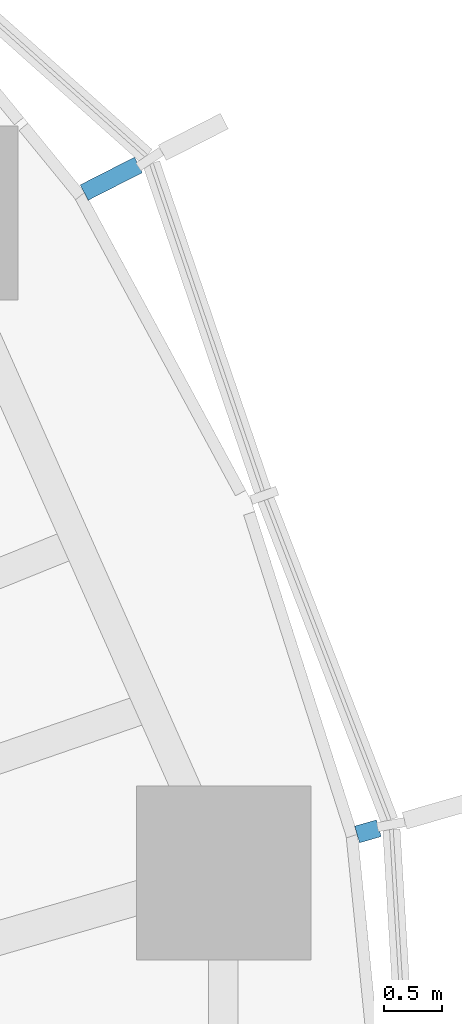
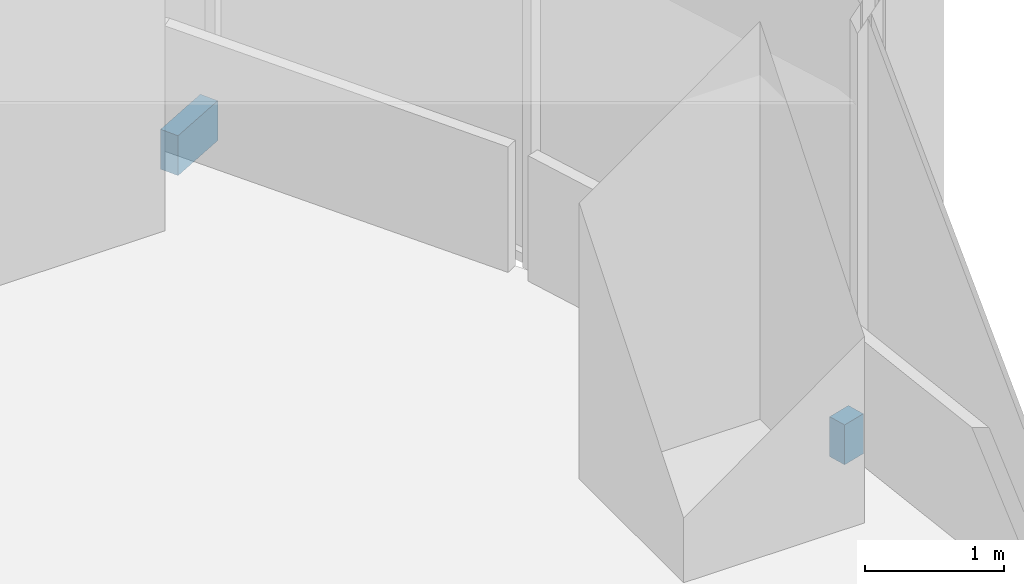
# One storey, part 16 of 18: 2 discrete accessories.
"""IFC4 building model written with IfcOpenShell, lengths in metres."""

import ifcopenshell
import ifcopenshell.guid

model = None  # the IFC model being written
_history = None  # IfcOwnerHistory: only IFC2X3 demands one
_inside = {}  # id of a spatial element -> (the spatial element, [elements in it])
_under = {}  # id of a project, library or spatial element -> (it, [spatial elements below it])
_declared = {}  # id of a project -> (the project, [libraries it declares])
_typed = {}  # id of a type object -> (the type object, [elements of that type])
_made_of = {}  # id of a material, layer set ... -> (it, [elements and type objects made of it])


def new_model(schema):
    """Start an empty IFC model of exactly this schema.

    Asked for "IFC4X3", IfcOpenShell would pick the latest addendum, in which some entities
    have other attributes; the version numbers below select the first issue.
    IFC2X3 requires an IfcOwnerHistory on every rooted entity: one is made here for all.
    """
    global model, _history
    if schema == "IFC4X3":
        model = ifcopenshell.file(schema_version=(4, 3, 0, 0))
    else:
        model = ifcopenshell.file(schema=schema)
    _inside.clear()
    _under.clear()
    _declared.clear()
    _typed.clear()
    _made_of.clear()
    _history = None
    if model.schema == "IFC2X3":
        org = make("IfcOrganization", Name="unknown")
        user = make(
            "IfcPersonAndOrganization",
            ThePerson=make("IfcPerson", FamilyName="unknown"),
            TheOrganization=org,
        )
        app = make(
            "IfcApplication",
            ApplicationDeveloper=org,
            Version="unknown",
            ApplicationFullName="unknown",
            ApplicationIdentifier="unknown",
        )
        _history = make(
            "IfcOwnerHistory",
            OwningUser=user,
            OwningApplication=app,
            ChangeAction="ADDED",
            CreationDate=0,
        )
    return model


def make(cls, **values):
    """One entity of the class cls with the attributes given. An attribute that is None is left unset."""
    return model.create_entity(
        cls, **{name: value for name, value in values.items() if value is not None}
    )


def rooted(cls, **values):
    """An entity with a GlobalId (a new one), such as an element, a storey or a relation."""
    return make(cls, GlobalId=ifcopenshell.guid.new(), OwnerHistory=_history, **values)


def si_unit(unit_type, name, prefix=None):
    """IfcSIUnit, for example si_unit("LENGTHUNIT", "METRE", prefix="MILLI")."""
    return make("IfcSIUnit", UnitType=unit_type, Prefix=prefix, Name=name)


def assignment(units):
    """IfcUnitAssignment: the units of a project."""
    return None if units is None else make("IfcUnitAssignment", Units=units)


def point(xyz):
    """IfcCartesianPoint."""
    return None if xyz is None else make("IfcCartesianPoint", Coordinates=xyz)


def direction(xyz):
    """IfcDirection."""
    return None if xyz is None else make("IfcDirection", DirectionRatios=xyz)


def frame(location, z_axis=None, x_axis=None):
    """IfcAxis2Placement3D, a coordinate frame: its origin and axes. An axis left out is left unset."""
    return make(
        "IfcAxis2Placement3D",
        Location=point(location),
        Axis=direction(z_axis),
        RefDirection=direction(x_axis),
    )


def frame_2d(location, x_axis=None):
    """IfcAxis2Placement2D, a coordinate frame in the plane: its origin and x axis."""
    return make(
        "IfcAxis2Placement2D", Location=point(location), RefDirection=direction(x_axis)
    )


def origin():
    """The frame at (0, 0, 0) with its axes left unset."""
    return frame((0.0, 0.0, 0.0))


def origin_2d():
    """The frame at (0, 0) in the plane with its x axis left unset."""
    return frame_2d((0.0, 0.0))


def place(relative_to, where):
    """IfcLocalPlacement: puts the frame where relative to a parent placement (None: the world)."""
    return make(
        "IfcLocalPlacement", PlacementRelTo=relative_to, RelativePlacement=where
    )


def context(
    kind, dimensions, precision=None, world=None, true_north=None, identifier=None
):
    """IfcGeometricRepresentationContext, for example the 3D "Model" context."""
    return make(
        "IfcGeometricRepresentationContext",
        ContextIdentifier=identifier,
        ContextType=kind,
        CoordinateSpaceDimension=dimensions,
        Precision=precision,
        WorldCoordinateSystem=world,
        TrueNorth=true_north,
    )


def subcontext(parent, identifier, kind, view, scale=None):
    """IfcGeometricRepresentationSubContext, for example "Body" below "Model"."""
    return make(
        "IfcGeometricRepresentationSubContext",
        ContextIdentifier=identifier,
        ContextType=kind,
        ParentContext=parent,
        TargetScale=scale,
        TargetView=view,
    )


def project(units=None, contexts=None):
    """IfcProject with its units and contexts."""
    return rooted(
        "IfcProject",
        Name="project",
        RepresentationContexts=contexts,
        UnitsInContext=assignment(units),
    )


def spatial(cls, under=None, at=None, **own):
    """A site, building, storey or space (cls), placed at a placement, below another one or the project."""
    s = rooted(cls, ObjectPlacement=at, **own)
    if under is not None:
        _under.setdefault(under.id(), (under, []))[1].append(s)
    return s


def profile(cls, at=None, kind="AREA", **sizes):
    """A parametric profile (cls). Its sizes go by their IFC names, for example OverallWidth=200.0."""
    return make(cls, ProfileType=kind, Position=at, **sizes)


def rectangle(**sizes):
    """IfcRectangleProfileDef."""
    return profile("IfcRectangleProfileDef", **sizes)


def extrude(swept, where, along, depth):
    """IfcExtrudedAreaSolid: the profile swept, set in the frame where, extruded along a direction by depth."""
    return make(
        "IfcExtrudedAreaSolid",
        SweptArea=swept,
        Position=where,
        ExtrudedDirection=direction(along),
        Depth=depth,
    )


def shape(context_of_items, identifier, shape_type, items):
    """IfcShapeRepresentation: the items that make up one representation, for example the "Body"."""
    return make(
        "IfcShapeRepresentation",
        ContextOfItems=context_of_items,
        RepresentationIdentifier=identifier,
        RepresentationType=shape_type,
        Items=items,
    )


def material(Name=None, Category=None):
    """IfcMaterial."""
    return make("IfcMaterial", Name=Name, Category=Category)


def made_of(thing, what):
    """Note that an element or type object is made of a material, layer set ...; save() writes the relation."""
    if what is not None:
        _made_of.setdefault(what.id(), (what, []))[1].append(thing)
    return thing


def type_object(cls, material=None, **own):
    """A type object (cls), such as IfcWallType, which elements share."""
    return made_of(rooted(cls, **own), material)


def element(
    cls,
    number,
    at=None,
    inside=None,
    cuts=None,
    type_object=None,
    material=None,
    context=None,
    identifier="Body",
    shape_type=None,
    held_by="IfcProductDefinitionShape",
    body=None,
    shapes=None,
    **own,
):
    """One element of the class cls, such as IfcWall. Its Tag is "e" and its number.

    at: its placement. inside: the storey or other place that contains it. cuts: it is an
    opening in that element (IfcRelVoidsElement). A single representation is given by context,
    identifier, shape_type and body (its items); several are given by shapes. held_by: the class
    of the entity that holds the representations. save() writes the other relations.
    """
    e = rooted(cls, Tag="e%d" % number, ObjectPlacement=at, **own)
    if body is not None:
        shapes = [shape(context, identifier, shape_type, body)]
    if shapes is not None:
        e.Representation = make(held_by, Representations=shapes)
    if inside is not None:
        _inside.setdefault(inside.id(), (inside, []))[1].append(e)
    if cuts is not None:
        rooted(
            "IfcRelVoidsElement", RelatingBuildingElement=cuts, RelatedOpeningElement=e
        )
    if type_object is not None:
        _typed.setdefault(type_object.id(), (type_object, []))[1].append(e)
    return made_of(e, material)


def aggregate(whole, parts):
    """IfcRelAggregates: a whole, such as a stair, and the parts it consists of."""
    return rooted("IfcRelAggregates", RelatingObject=whole, RelatedObjects=parts)


def save(model, path):
    """Write the relations noted so far, then the file.

    IfcRelAggregates (storeys below a building ...), IfcRelContainedInSpatialStructure (elements
    in a storey), IfcRelDefinesByType, IfcRelAssociatesMaterial and IfcRelDeclares: one each for
    every whole, place, type object, material and project.
    """
    for whole, parts in _under.values():
        aggregate(whole, parts)
    for where, things in _inside.values():
        rooted(
            "IfcRelContainedInSpatialStructure",
            RelatedElements=things,
            RelatingStructure=where,
        )
    for kind, things in _typed.values():
        rooted("IfcRelDefinesByType", RelatedObjects=things, RelatingType=kind)
    for what, things in _made_of.values():
        rooted("IfcRelAssociatesMaterial", RelatedObjects=things, RelatingMaterial=what)
    for by, libraries in _declared.values():
        rooted("IfcRelDeclares", RelatingContext=by, RelatedDefinitions=libraries)
    model.write(path)


model = new_model("IFC4")

# Units and contexts
model_context = context("Model", 3, precision=1e-05, world=origin(), true_north=direction((0.0, 1.0)))
body_context = subcontext(model_context, "Body", "Model", "MODEL_VIEW")
ifc_project = project(units=[si_unit("LENGTHUNIT", "METRE"), si_unit("AREAUNIT", "SQUARE_METRE"), si_unit("VOLUMEUNIT", "CUBIC_METRE"), si_unit("PLANEANGLEUNIT", "RADIAN"), si_unit("MASSUNIT", "GRAM", prefix="KILO")], contexts=[model_context])

# Site, building, storey
site_placement = place(None, origin())
site = spatial("IfcSite", under=ifc_project, at=site_placement, CompositionType="ELEMENT")
building_placement = place(site_placement, origin())
building = spatial("IfcBuilding", under=site, at=building_placement, Name="Ghaith Harvest Tower", CompositionType="ELEMENT")
storey_placement = place(building_placement, frame((0.0, 0.0, 121.800048828125)))
storey = spatial("IfcBuildingStorey", under=building, at=storey_placement, Name="L25", CompositionType="ELEMENT", Elevation=121.800048828125)

# Discrete accessories
ifc_material_1 = material(Name="Stainless steel grade 1.4401", Category="steel")
discrete_accessory_type_1 = type_object("IfcDiscreteAccessoryType", Name="CURTAIN WALL BRACKET 195", PredefinedType="BRACKET", material=ifc_material_1)
discrete_accessory_1_placement = place(storey_placement, frame((30.528076171875, 8.8232421875, -0.25), z_axis=(0.0, 0.0, 1.0), x_axis=(0.960680349985, 0.277656739792, 0.0)))
element("IfcDiscreteAccessory", 1, at=discrete_accessory_1_placement, inside=storey, type_object=discrete_accessory_type_1, Name="CW-L bracket 1 bay 02 L25", PredefinedType="BRACKET", context=body_context, shape_type="SweptSolid", body=[
    extrude(rectangle(XDim=0.195068359375, YDim=0.14990234375, at=origin_2d()), origin(), (0.0, 0.0, 1.0), 0.35009765625),
])
ifc_material_2 = material(Name="Stainless steel grade 1.4401", Category="steel")
discrete_accessory_type_2 = type_object("IfcDiscreteAccessoryType", Name="CURTAIN WALL BRACKET 525", PredefinedType="BRACKET", material=ifc_material_2)
discrete_accessory_2_placement = place(storey_placement, frame((28.318115234375, 14.442626953125, -0.25), z_axis=(0.0, 0.0, 1.0), x_axis=(0.890830752257, 0.454335306611, 0.0)))
element("IfcDiscreteAccessory", 2, at=discrete_accessory_2_placement, inside=storey, type_object=discrete_accessory_type_2, Name="CW-L bracket 3 bay 02 L25", PredefinedType="BRACKET", context=body_context, shape_type="SweptSolid", body=[
    extrude(rectangle(XDim=0.52490234375, YDim=0.14990234375, at=origin_2d()), origin(), (0.0, 0.0, 1.0), 0.35009765625),
])

save(model, "model.ifc")
